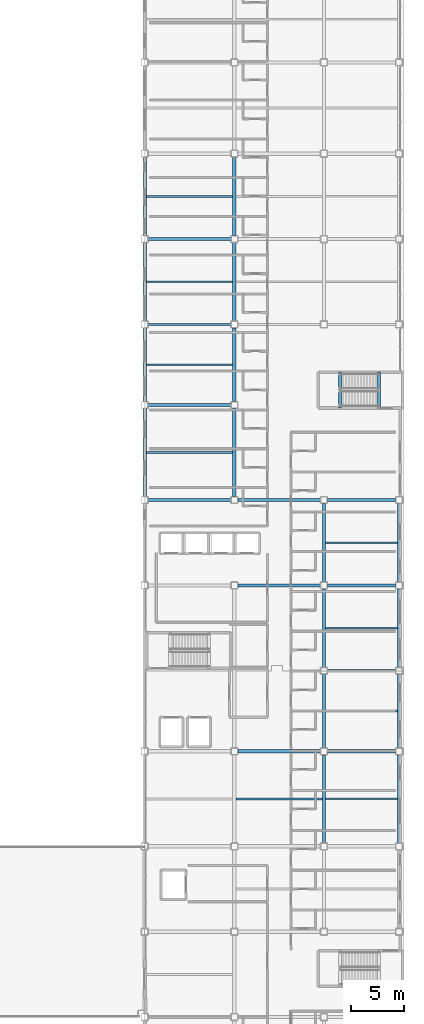
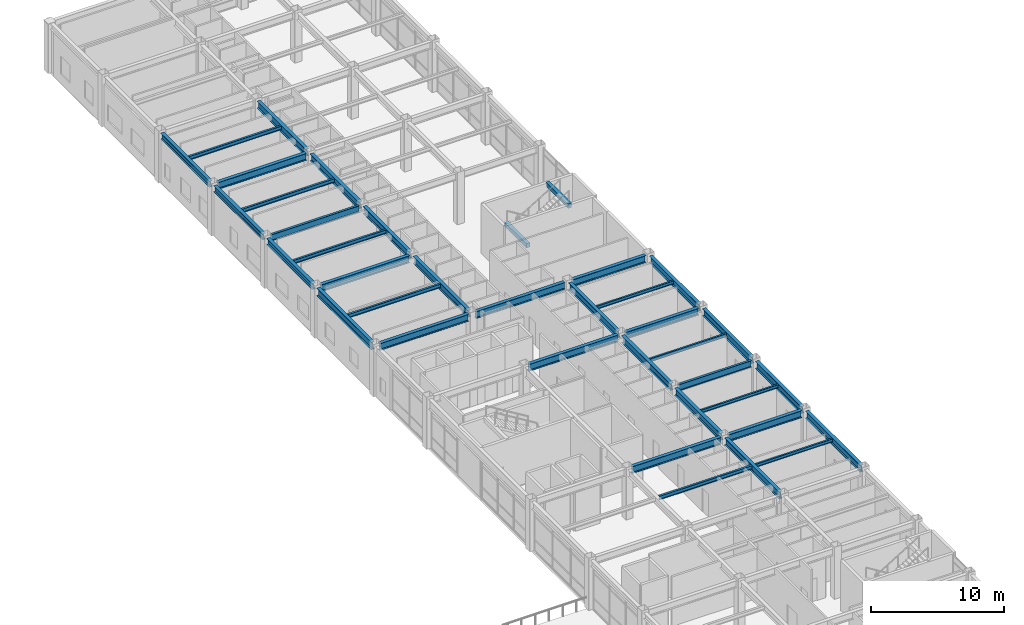
# One storey, part 30 of 61: 38 beams.
"""IFC4 building model written with IfcOpenShell, lengths in metres."""

from ifc_helpers import new_model, si_unit, direction, frame, origin, origin_2d, place, context, subcontext, project, spatial, rectangle, i_section, extrude, material, material_profile, profile_set, type_object, element, save


model = new_model("IFC4")

# Units and contexts
model_context = context("Model", 3, precision=1e-05, world=origin(), true_north=direction((0.0, 1.0)))
body_context = subcontext(model_context, "Body", "Model", "MODEL_VIEW")
ifc_project = project(units=[si_unit("LENGTHUNIT", "METRE"), si_unit("AREAUNIT", "SQUARE_METRE"), si_unit("VOLUMEUNIT", "CUBIC_METRE"), si_unit("PLANEANGLEUNIT", "RADIAN"), si_unit("MASSUNIT", "GRAM", prefix="KILO")], contexts=[model_context])

# Site, building, storey
site_placement = place(None, origin())
site = spatial("IfcSite", under=ifc_project, at=site_placement, CompositionType="ELEMENT")
building_placement = place(site_placement, origin())
building = spatial("IfcBuilding", under=site, at=building_placement, Name="Kazehara Bluff Congress Hotel", CompositionType="ELEMENT")
storey_placement = place(building_placement, frame((0.0, 0.0, 19.800048828125)))
storey = spatial("IfcBuildingStorey", under=building, at=storey_placement, Name="L04", CompositionType="ELEMENT", Elevation=19.800048828125)

# Beams
ifc_material_1 = material(Name="Steel SN490B", Category="steel")
ifc_material_profile_1 = material_profile(ifc_material_1, i_section(OverallWidth=0.300048828125, OverallDepth=0.64990234375, WebThickness=0.011962890625, FlangeThickness=0.02001953125, FilletRadius=0.012939453125, at=origin_2d()))
ifc_profile_set_1 = profile_set([ifc_material_profile_1], Name="Steel SN490B")
beam_type_1 = type_object("IfcBeamType", Name="TP-G-03", PredefinedType="BEAM", material=ifc_profile_set_1)
beam_1_placement = place(storey_placement, frame((152.10009765625, 64.77490234375, 4.2548828125), z_axis=(0.0, 1.0, 0.0), x_axis=(-1.0, 0.0, 0.0)))
element("IfcBeam", 1, at=beam_1_placement, inside=storey, type_object=beam_type_1, Name="L04 girder G-03 50", PredefinedType="BEAM", context=body_context, shape_type="SweptSolid", body=[
    extrude(i_section(OverallWidth=0.300048828125, OverallDepth=0.64990234375, WebThickness=0.011962890625, FlangeThickness=0.02001953125, FilletRadius=0.012939453125, at=origin_2d()), origin(), (0.0, 0.0, 1.0), 8.25),
])
beam_2_placement = place(storey_placement, frame((152.10009765625, 73.675048828125, 4.2548828125), z_axis=(0.0, 1.0, 0.0), x_axis=(-1.0, 0.0, 0.0)))
element("IfcBeam", 2, at=beam_2_placement, inside=storey, type_object=beam_type_1, Name="L04 girder G-03 51", PredefinedType="BEAM", context=body_context, shape_type="SweptSolid", body=[
    extrude(i_section(OverallWidth=0.300048828125, OverallDepth=0.64990234375, WebThickness=0.011962890625, FlangeThickness=0.02001953125, FilletRadius=0.012939453125, at=origin_2d()), origin(), (0.0, 0.0, 1.0), 6.89990234375),
])
for number, where, z_axis, x_axis, name in (
    (3, (152.10009765625, 81.22509765625, 4.2548828125), (0.0, 1.0, 0.0), (-1.0, 0.0, 0.0), "L04 girder G-03 52"),
    (4, (152.10009765625, 89.22509765625, 4.2548828125), (0.0, 1.0, 0.0), (-1.0, 0.0, 0.0), "L04 girder G-03 53"),
):
    element("IfcBeam", number, at=place(storey_placement, frame(where, z_axis=z_axis, x_axis=x_axis)), inside=storey, type_object=beam_type_1, Name=name, PredefinedType="BEAM", context=body_context, shape_type="SweptSolid", body=[
        extrude(i_section(OverallWidth=0.300048828125, OverallDepth=0.64990234375, WebThickness=0.011962890625, FlangeThickness=0.02001953125, FilletRadius=0.012939453125, at=origin_2d()), origin(), (0.0, 0.0, 1.0), 7.349853515625),
    ])
beam_3_placement = place(storey_placement, frame((160.5, 32.324951171875, 4.2548828125), z_axis=(0.0, 1.0, 0.0), x_axis=(-1.0, 0.0, 0.0)))
element("IfcBeam", 5, at=beam_3_placement, inside=storey, type_object=beam_type_1, Name="L04 girder G-03 59", PredefinedType="BEAM", context=body_context, shape_type="SweptSolid", body=[
    extrude(i_section(OverallWidth=0.300048828125, OverallDepth=0.64990234375, WebThickness=0.011962890625, FlangeThickness=0.02001953125, FilletRadius=0.012939453125, at=origin_2d()), origin(), (0.0, 0.0, 1.0), 8.25),
])
beam_4_placement = place(storey_placement, frame((160.5, 41.22509765625, 4.2548828125), z_axis=(0.0, 1.0, 0.0), x_axis=(-1.0, 0.0, 0.0)))
element("IfcBeam", 6, at=beam_4_placement, inside=storey, type_object=beam_type_1, Name="L04 girder G-03 60", PredefinedType="BEAM", context=body_context, shape_type="SweptSolid", body=[
    extrude(i_section(OverallWidth=0.300048828125, OverallDepth=0.64990234375, WebThickness=0.011962890625, FlangeThickness=0.02001953125, FilletRadius=0.012939453125, at=origin_2d()), origin(), (0.0, 0.0, 1.0), 6.89990234375),
])
for number, where, z_axis, x_axis, name in (
    (7, (160.5, 48.77490234375, 4.2548828125), (0.0, 1.0, 0.0), (-1.0, 0.0, 0.0), "L04 girder G-03 61"),
    (8, (160.5, 56.77490234375, 4.2548828125), (0.0, 1.0, 0.0), (-1.0, 0.0, 0.0), "L04 girder G-03 62"),
):
    element("IfcBeam", number, at=place(storey_placement, frame(where, z_axis=z_axis, x_axis=x_axis)), inside=storey, type_object=beam_type_1, Name=name, PredefinedType="BEAM", context=body_context, shape_type="SweptSolid", body=[
        extrude(i_section(OverallWidth=0.300048828125, OverallDepth=0.64990234375, WebThickness=0.011962890625, FlangeThickness=0.02001953125, FilletRadius=0.012939453125, at=origin_2d()), origin(), (0.0, 0.0, 1.0), 7.35009765625),
    ])
beam_5_placement = place(storey_placement, frame((167.550048828125, 32.324951171875, 4.2548828125), z_axis=(0.0, 1.0, 0.0), x_axis=(-1.0, 0.0, 0.0)))
element("IfcBeam", 9, at=beam_5_placement, inside=storey, type_object=beam_type_1, Name="L04 girder G-03 70", PredefinedType="BEAM", context=body_context, shape_type="SweptSolid", body=[
    extrude(i_section(OverallWidth=0.300048828125, OverallDepth=0.64990234375, WebThickness=0.011962890625, FlangeThickness=0.02001953125, FilletRadius=0.012939453125, at=origin_2d()), origin(), (0.0, 0.0, 1.0), 8.25),
])
beam_6_placement = place(storey_placement, frame((167.550048828125, 41.22509765625, 4.2548828125), z_axis=(0.0, 1.0, 0.0), x_axis=(-1.0, 0.0, 0.0)))
element("IfcBeam", 10, at=beam_6_placement, inside=storey, type_object=beam_type_1, Name="L04 girder G-03 71", PredefinedType="BEAM", context=body_context, shape_type="SweptSolid", body=[
    extrude(i_section(OverallWidth=0.300048828125, OverallDepth=0.64990234375, WebThickness=0.011962890625, FlangeThickness=0.02001953125, FilletRadius=0.012939453125, at=origin_2d()), origin(), (0.0, 0.0, 1.0), 6.89990234375),
])
for number, where, z_axis, x_axis, name in (
    (11, (167.550048828125, 48.77490234375, 4.2548828125), (0.0, 1.0, 0.0), (-1.0, 0.0, 0.0), "L04 girder G-03 72"),
    (12, (167.550048828125, 56.77490234375, 4.2548828125), (0.0, 1.0, 0.0), (-1.0, 0.0, 0.0), "L04 girder G-03 73"),
):
    element("IfcBeam", number, at=place(storey_placement, frame(where, z_axis=z_axis, x_axis=x_axis)), inside=storey, type_object=beam_type_1, Name=name, PredefinedType="BEAM", context=body_context, shape_type="SweptSolid", body=[
        extrude(i_section(OverallWidth=0.300048828125, OverallDepth=0.64990234375, WebThickness=0.011962890625, FlangeThickness=0.02001953125, FilletRadius=0.012939453125, at=origin_2d()), origin(), (0.0, 0.0, 1.0), 7.35009765625),
    ])
beam_7_placement = place(storey_placement, frame((152.425048828125, 40.89990234375, 4.2548828125), z_axis=(1.0, 0.0, 0.0), x_axis=(0.0, 1.0, 0.0)))
element("IfcBeam", 13, at=beam_7_placement, inside=storey, type_object=beam_type_1, Name="L04 girder G-03 94", PredefinedType="BEAM", context=body_context, shape_type="SweptSolid", body=[
    extrude(i_section(OverallWidth=0.300048828125, OverallDepth=0.64990234375, WebThickness=0.011962890625, FlangeThickness=0.02001953125, FilletRadius=0.012939453125, at=origin_2d()), origin(), (0.0, 0.0, 1.0), 7.75),
])
beam_8_placement = place(storey_placement, frame((160.824951171875, 40.89990234375, 4.2548828125), z_axis=(1.0, 0.0, 0.0), x_axis=(0.0, 1.0, 0.0)))
element("IfcBeam", 14, at=beam_8_placement, inside=storey, type_object=beam_type_1, Name="L04 girder G-03 95", PredefinedType="BEAM", context=body_context, shape_type="SweptSolid", body=[
    extrude(i_section(OverallWidth=0.300048828125, OverallDepth=0.64990234375, WebThickness=0.011962890625, FlangeThickness=0.02001953125, FilletRadius=0.012939453125, at=origin_2d()), origin(), (0.0, 0.0, 1.0), 6.400146484375),
])
beam_9_placement = place(storey_placement, frame((152.425048828125, 56.449951171875, 4.2548828125), z_axis=(1.0, 0.0, 0.0), x_axis=(0.0, 1.0, 0.0)))
element("IfcBeam", 15, at=beam_9_placement, inside=storey, type_object=beam_type_1, Name="L04 girder G-03 98", PredefinedType="BEAM", context=body_context, shape_type="SweptSolid", body=[
    extrude(i_section(OverallWidth=0.300048828125, OverallDepth=0.64990234375, WebThickness=0.011962890625, FlangeThickness=0.02001953125, FilletRadius=0.012939453125, at=origin_2d()), origin(), (0.0, 0.0, 1.0), 7.75),
])
beam_10_placement = place(storey_placement, frame((160.824951171875, 56.449951171875, 4.2548828125), z_axis=(1.0, 0.0, 0.0), x_axis=(0.0, 1.0, 0.0)))
element("IfcBeam", 16, at=beam_10_placement, inside=storey, type_object=beam_type_1, Name="L04 girder G-03 99", PredefinedType="BEAM", context=body_context, shape_type="SweptSolid", body=[
    extrude(i_section(OverallWidth=0.300048828125, OverallDepth=0.64990234375, WebThickness=0.011962890625, FlangeThickness=0.02001953125, FilletRadius=0.012939453125, at=origin_2d()), origin(), (0.0, 0.0, 1.0), 6.400146484375),
])
for number, where, z_axis, x_axis, name in (
    (17, (144.02490234375, 64.449951171875, 4.2548828125), (1.0, 0.0, 0.0), (0.0, 1.0, 0.0), "L04 girder G-03 100"),
    (18, (152.425048828125, 64.449951171875, 4.2548828125), (1.0, 0.0, 0.0), (0.0, 1.0, 0.0), "L04 girder G-03 101"),
):
    element("IfcBeam", number, at=place(storey_placement, frame(where, z_axis=z_axis, x_axis=x_axis)), inside=storey, type_object=beam_type_1, Name=name, PredefinedType="BEAM", context=body_context, shape_type="SweptSolid", body=[
        extrude(i_section(OverallWidth=0.300048828125, OverallDepth=0.64990234375, WebThickness=0.011962890625, FlangeThickness=0.02001953125, FilletRadius=0.012939453125, at=origin_2d()), origin(), (0.0, 0.0, 1.0), 7.75),
    ])
beam_11_placement = place(storey_placement, frame((160.824951171875, 64.449951171875, 4.2548828125), z_axis=(1.0, 0.0, 0.0), x_axis=(0.0, 1.0, 0.0)))
element("IfcBeam", 19, at=beam_11_placement, inside=storey, type_object=beam_type_1, Name="L04 girder G-03 102", PredefinedType="BEAM", context=body_context, shape_type="SweptSolid", body=[
    extrude(i_section(OverallWidth=0.300048828125, OverallDepth=0.64990234375, WebThickness=0.011962890625, FlangeThickness=0.02001953125, FilletRadius=0.012939453125, at=origin_2d()), origin(), (0.0, 0.0, 1.0), 6.400146484375),
])
for number, where, z_axis, x_axis, name in (
    (20, (144.02490234375, 73.35009765625, 4.2548828125), (1.0, 0.0, 0.0), (0.0, 1.0, 0.0), "L04 girder G-03 103"),
    (21, (144.02490234375, 88.89990234375, 4.2548828125), (1.0, 0.0, 0.0), (0.0, 1.0, 0.0), "L04 girder G-03 107"),
):
    element("IfcBeam", number, at=place(storey_placement, frame(where, z_axis=z_axis, x_axis=x_axis)), inside=storey, type_object=beam_type_1, Name=name, PredefinedType="BEAM", context=body_context, shape_type="SweptSolid", body=[
        extrude(i_section(OverallWidth=0.300048828125, OverallDepth=0.64990234375, WebThickness=0.011962890625, FlangeThickness=0.02001953125, FilletRadius=0.012939453125, at=origin_2d()), origin(), (0.0, 0.0, 1.0), 7.75),
    ])
ifc_material_2 = material(Name="Steel SN400B", Category="steel")
ifc_material_profile_2 = material_profile(ifc_material_2, i_section(OverallWidth=0.14990234375, OverallDepth=0.300048828125, WebThickness=0.006591796875, FlangeThickness=0.009033203125, FilletRadius=0.012939453125, at=origin_2d()))
ifc_profile_set_2 = profile_set([ifc_material_profile_2], Name="Steel SN400B")
beam_type_2 = type_object("IfcBeamType", Name="TP-J-01", PredefinedType="JOIST", material=ifc_profile_set_2)
for number, where, z_axis, x_axis, name in (
    (22, (160.64990234375, 36.449951171875, 4.429931640625), (1.0, 0.0, 0.0), (0.0, 1.0, 0.0), "L04 secondary joist J-01 32"),
    (23, (160.64990234375, 44.675048828125, 4.429931640625), (1.0, 0.0, 0.0), (0.0, 1.0, 0.0), "L04 secondary joist J-01 33"),
    (24, (160.64990234375, 52.449951171875, 4.429931640625), (1.0, 0.0, 0.0), (0.0, 1.0, 0.0), "L04 secondary joist J-01 34"),
    (25, (160.64990234375, 60.449951171875, 4.429931640625), (1.0, 0.0, 0.0), (0.0, 1.0, 0.0), "L04 secondary joist J-01 35"),
):
    element("IfcBeam", number, at=place(storey_placement, frame(where, z_axis=z_axis, x_axis=x_axis)), inside=storey, type_object=beam_type_2, Name=name, PredefinedType="JOIST", context=body_context, shape_type="SweptSolid", body=[
        extrude(i_section(OverallWidth=0.14990234375, OverallDepth=0.300048828125, WebThickness=0.006591796875, FlangeThickness=0.009033203125, FilletRadius=0.012939453125, at=origin_2d()), origin(), (0.0, 0.0, 1.0), 6.75),
    ])
ifc_material_3 = material(Name="Steel SN400B", Category="steel")
ifc_material_profile_3 = material_profile(ifc_material_3, i_section(OverallWidth=0.175048828125, OverallDepth=0.35009765625, WebThickness=0.007080078125, FlangeThickness=0.010986328125, FilletRadius=0.012939453125, at=origin_2d()))
ifc_profile_set_3 = profile_set([ifc_material_profile_3], Name="Steel SN400B")
beam_type_3 = type_object("IfcBeamType", Name="TP-J-02", PredefinedType="JOIST", material=ifc_profile_set_3)
for number, where, z_axis, x_axis, name in (
    (26, (143.85009765625, 68.89990234375, 4.405029296875), (1.0, 0.0, 0.0), (0.0, 1.0, 0.0), "L04 secondary joist J-02 15"),
    (27, (143.85009765625, 77.125, 4.405029296875), (1.0, 0.0, 0.0), (0.0, 1.0, 0.0), "L04 secondary joist J-02 16"),
    (28, (143.85009765625, 84.89990234375, 4.405029296875), (1.0, 0.0, 0.0), (0.0, 1.0, 0.0), "L04 secondary joist J-02 17"),
    (29, (143.85009765625, 92.89990234375, 4.405029296875), (1.0, 0.0, 0.0), (0.0, 1.0, 0.0), "L04 secondary joist J-02 18"),
):
    element("IfcBeam", number, at=place(storey_placement, frame(where, z_axis=z_axis, x_axis=x_axis)), inside=storey, type_object=beam_type_3, Name=name, PredefinedType="JOIST", context=body_context, shape_type="SweptSolid", body=[
        extrude(i_section(OverallWidth=0.175048828125, OverallDepth=0.35009765625, WebThickness=0.007080078125, FlangeThickness=0.010986328125, FilletRadius=0.012939453125, at=origin_2d()), origin(), (0.0, 0.0, 1.0), 8.099853515625),
    ])
beam_12_placement = place(storey_placement, frame((152.25, 36.449951171875, 4.405029296875), z_axis=(1.0, 0.0, 0.0), x_axis=(0.0, 1.0, 0.0)))
element("IfcBeam", 30, at=beam_12_placement, inside=storey, type_object=beam_type_3, Name="L04 secondary joist J-02 24", PredefinedType="JOIST", context=body_context, shape_type="SweptSolid", body=[
    extrude(i_section(OverallWidth=0.175048828125, OverallDepth=0.35009765625, WebThickness=0.007080078125, FlangeThickness=0.010986328125, FilletRadius=0.012939453125, at=origin_2d()), origin(), (0.0, 0.0, 1.0), 8.10009765625),
])
ifc_material_4 = material(Name="Concrete C40/50", Category="concrete")
ifc_material_profile_4 = material_profile(ifc_material_4, rectangle(XDim=0.300048828125, YDim=0.39990234375, at=origin_2d()))
ifc_profile_set_4 = profile_set([ifc_material_profile_4], Name="Concrete C40/50")
beam_type_4 = type_object("IfcBeamType", Name="TP-LN-02", PredefinedType="LINTEL", material=ifc_profile_set_4)
for number, where, z_axis, x_axis, name in (
    (31, (162.010009765625, 76.425048828125, 2.02001953125), (0.0, -1.0, 0.0), (1.0, 0.0, 0.0), "L04 ST-12 half-landing support beam 1"),
    (32, (165.64990234375, 76.425048828125, 4.39990234375), (0.0, -1.0, 0.0), (1.0, 0.0, 0.0), "L05 ST-12 stairwell trimmer beam"),
):
    element("IfcBeam", number, at=place(storey_placement, frame(where, z_axis=z_axis, x_axis=x_axis)), inside=storey, type_object=beam_type_4, Name=name, PredefinedType="LINTEL", context=body_context, shape_type="SweptSolid", body=[
        extrude(rectangle(XDim=0.300048828125, YDim=0.39990234375, at=origin_2d()), origin(), (0.0, 0.0, 1.0), 3.35009765625),
    ])
ifc_material_5 = material(Name="Steel SN490B", Category="steel")
ifc_material_profile_5 = material_profile(ifc_material_5, i_section(OverallWidth=0.300048828125, OverallDepth=0.550048828125, WebThickness=0.010986328125, FlangeThickness=0.01806640625, FilletRadius=0.012939453125, at=origin_2d()))
ifc_profile_set_5 = profile_set([ifc_material_profile_5], Name="Steel SN490B")
beam_type_5 = type_object("IfcBeamType", Name="TP-SP-01", PredefinedType="SPANDREL", material=ifc_profile_set_5)
beam_13_placement = place(storey_placement, frame((143.699951171875, 73.675048828125, 4.304931640625), z_axis=(0.0, 1.0, 0.0), x_axis=(-1.0, 0.0, 0.0)))
element("IfcBeam", 33, at=beam_13_placement, inside=storey, type_object=beam_type_5, Name="L04 girder SP-01 39", PredefinedType="SPANDREL", context=body_context, shape_type="SweptSolid", body=[
    extrude(i_section(OverallWidth=0.300048828125, OverallDepth=0.550048828125, WebThickness=0.010986328125, FlangeThickness=0.01806640625, FilletRadius=0.012939453125, at=origin_2d()), origin(), (0.0, 0.0, 1.0), 6.89990234375),
])
for number, where, z_axis, x_axis, name in (
    (34, (143.699951171875, 81.22509765625, 4.304931640625), (0.0, 1.0, 0.0), (-1.0, 0.0, 0.0), "L04 girder SP-01 40"),
    (35, (143.699951171875, 89.22509765625, 4.304931640625), (0.0, 1.0, 0.0), (-1.0, 0.0, 0.0), "L04 girder SP-01 41"),
):
    element("IfcBeam", number, at=place(storey_placement, frame(where, z_axis=z_axis, x_axis=x_axis)), inside=storey, type_object=beam_type_5, Name=name, PredefinedType="SPANDREL", context=body_context, shape_type="SweptSolid", body=[
        extrude(i_section(OverallWidth=0.300048828125, OverallDepth=0.550048828125, WebThickness=0.010986328125, FlangeThickness=0.01806640625, FilletRadius=0.012939453125, at=origin_2d()), origin(), (0.0, 0.0, 1.0), 7.349853515625),
    ])
ifc_material_6 = material(Name="Steel SN490B", Category="steel")
ifc_material_profile_6 = material_profile(ifc_material_6, i_section(OverallWidth=0.199951171875, OverallDepth=0.60009765625, WebThickness=0.010986328125, FlangeThickness=0.01708984375, FilletRadius=0.012939453125, at=origin_2d()))
ifc_profile_set_6 = profile_set([ifc_material_profile_6], Name="Steel SN490B")
beam_type_6 = type_object("IfcBeamType", Name="TP-SP-02", PredefinedType="SPANDREL", material=ifc_profile_set_6)
beam_14_placement = place(storey_placement, frame((160.824951171875, 48.449951171875, 4.280029296875), z_axis=(1.0, 0.0, 0.0), x_axis=(0.0, 1.0, 0.0)))
element("IfcBeam", 36, at=beam_14_placement, inside=storey, type_object=beam_type_6, Name="L04 girder SP-02 96", PredefinedType="SPANDREL", context=body_context, shape_type="SweptSolid", body=[
    extrude(i_section(OverallWidth=0.199951171875, OverallDepth=0.60009765625, WebThickness=0.010986328125, FlangeThickness=0.01708984375, FilletRadius=0.012939453125, at=origin_2d()), origin(), (0.0, 0.0, 1.0), 6.400146484375),
])
beam_15_placement = place(storey_placement, frame((144.02490234375, 80.89990234375, 4.280029296875), z_axis=(1.0, 0.0, 0.0), x_axis=(0.0, 1.0, 0.0)))
element("IfcBeam", 37, at=beam_15_placement, inside=storey, type_object=beam_type_6, Name="L04 girder SP-02 104", PredefinedType="SPANDREL", context=body_context, shape_type="SweptSolid", body=[
    extrude(i_section(OverallWidth=0.199951171875, OverallDepth=0.60009765625, WebThickness=0.010986328125, FlangeThickness=0.01708984375, FilletRadius=0.012939453125, at=origin_2d()), origin(), (0.0, 0.0, 1.0), 7.75),
])
ifc_material_7 = material(Name="Steel SN490B", Category="steel")
ifc_material_profile_7 = material_profile(ifc_material_7, i_section(OverallWidth=0.300048828125, OverallDepth=0.699951171875, WebThickness=0.012939453125, FlangeThickness=0.02392578125, FilletRadius=0.01806640625, at=origin_2d()))
ifc_profile_set_7 = profile_set([ifc_material_profile_7], Name="Steel SN490B")
beam_type_7 = type_object("IfcBeamType", Name="TP-SP-03", PredefinedType="SPANDREL", material=ifc_profile_set_7)
beam_16_placement = place(storey_placement, frame((143.699951171875, 64.77490234375, 4.22998046875), z_axis=(0.0, 1.0, 0.0), x_axis=(-1.0, 0.0, 0.0)))
element("IfcBeam", 38, at=beam_16_placement, inside=storey, type_object=beam_type_7, Name="L04 girder SP-03 38", PredefinedType="SPANDREL", context=body_context, shape_type="SweptSolid", body=[
    extrude(i_section(OverallWidth=0.300048828125, OverallDepth=0.699951171875, WebThickness=0.012939453125, FlangeThickness=0.02392578125, FilletRadius=0.01806640625, at=origin_2d()), origin(), (0.0, 0.0, 1.0), 8.25),
])

save(model, "model.ifc")
